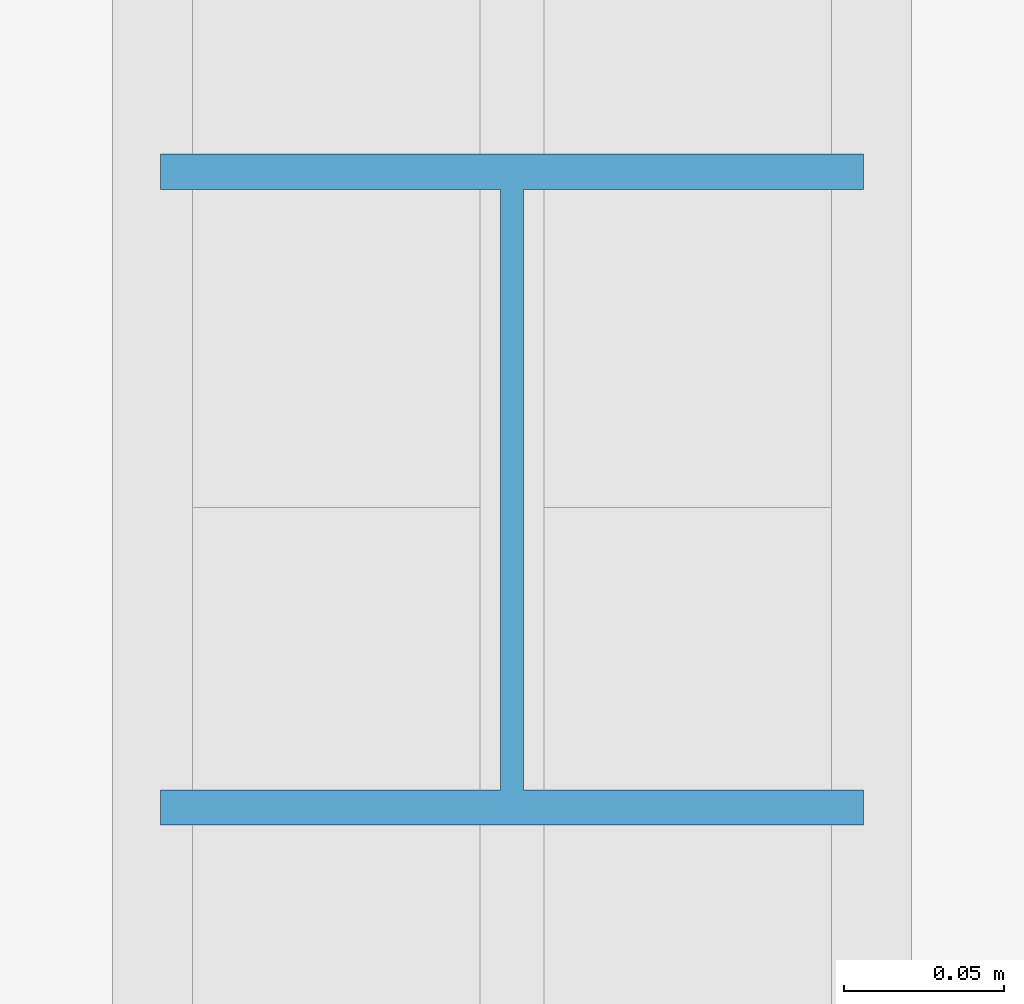
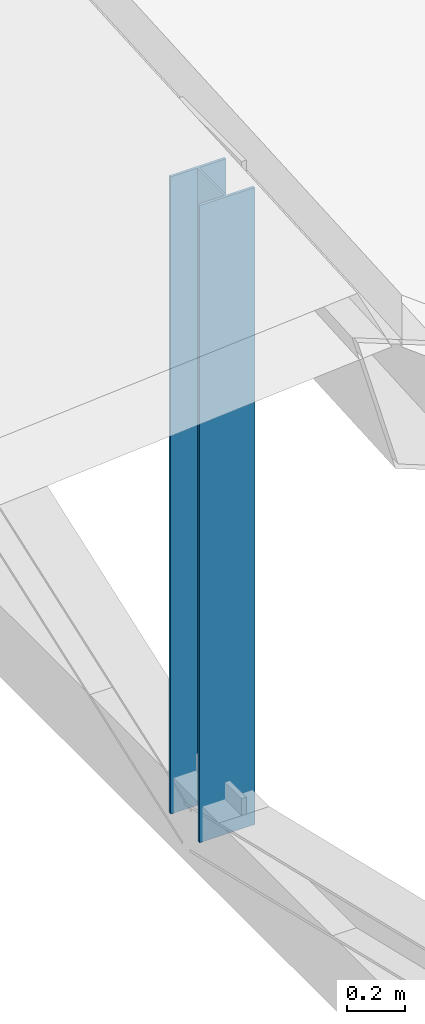
# One storey, part 32 of 142: 1 member.
"""IFC4 building model written with IfcOpenShell, lengths in metres."""

from ifc_helpers import new_model, si_unit, direction, frame, origin, origin_2d, place, context, subcontext, project, spatial, i_section, extrude, material, material_profile, profile_set, type_object, element, save


model = new_model("IFC4")

# Units and contexts
model_context = context("Model", 3, precision=1e-05, world=origin(), true_north=direction((0.0, 1.0)))
body_context = subcontext(model_context, "Body", "Model", "MODEL_VIEW")
ifc_project = project(units=[si_unit("LENGTHUNIT", "METRE"), si_unit("AREAUNIT", "SQUARE_METRE"), si_unit("VOLUMEUNIT", "CUBIC_METRE"), si_unit("PLANEANGLEUNIT", "RADIAN"), si_unit("MASSUNIT", "GRAM", prefix="KILO")], contexts=[model_context])

# Site, building, storey
site_placement = place(None, origin())
site = spatial("IfcSite", under=ifc_project, at=site_placement, CompositionType="ELEMENT")
building_placement = place(site_placement, origin())
building = spatial("IfcBuilding", under=site, at=building_placement, Name="Montelvaro Courts of Justice", CompositionType="ELEMENT")
storey_placement = place(building_placement, frame((0.0, 0.0, 14.39990234375)))
storey = spatial("IfcBuildingStorey", under=building, at=storey_placement, Name="L03", CompositionType="ELEMENT", Elevation=14.39990234375)

# Member
ifc_material = material(Name="Steel S355", Category="steel")
ifc_material_profile = material_profile(ifc_material, i_section(OverallWidth=0.219970703125, OverallDepth=0.2099609375, WebThickness=0.007080078125, FlangeThickness=0.010986328125, at=origin_2d()), Name="HEA 220")
ifc_profile_set = profile_set([ifc_material_profile], Name="Steel S355")
member_type = type_object("IfcMemberType", Name="Mem_HEA220_Post", PredefinedType="POST", material=ifc_profile_set)
member_placement = place(storey_placement, frame((58.5, 60.0, -0.2998046875), z_axis=(0.0, 0.0, 1.0), x_axis=(1.0, 0.0, 0.0)))
element("IfcMember", 1, at=member_placement, inside=storey, type_object=member_type, Name="Roof Truss Post MP-03 ROOF-PASSAGE-RTR01-V2", PredefinedType="POST", context=body_context, shape_type="SweptSolid", body=[
    extrude(i_section(OverallWidth=0.219970703125, OverallDepth=0.2099609375, WebThickness=0.007080078125, FlangeThickness=0.010986328125, at=origin_2d()), origin(), (0.0, 0.0, 1.0), 2.679931640625),
])

save(model, "model.ifc")
